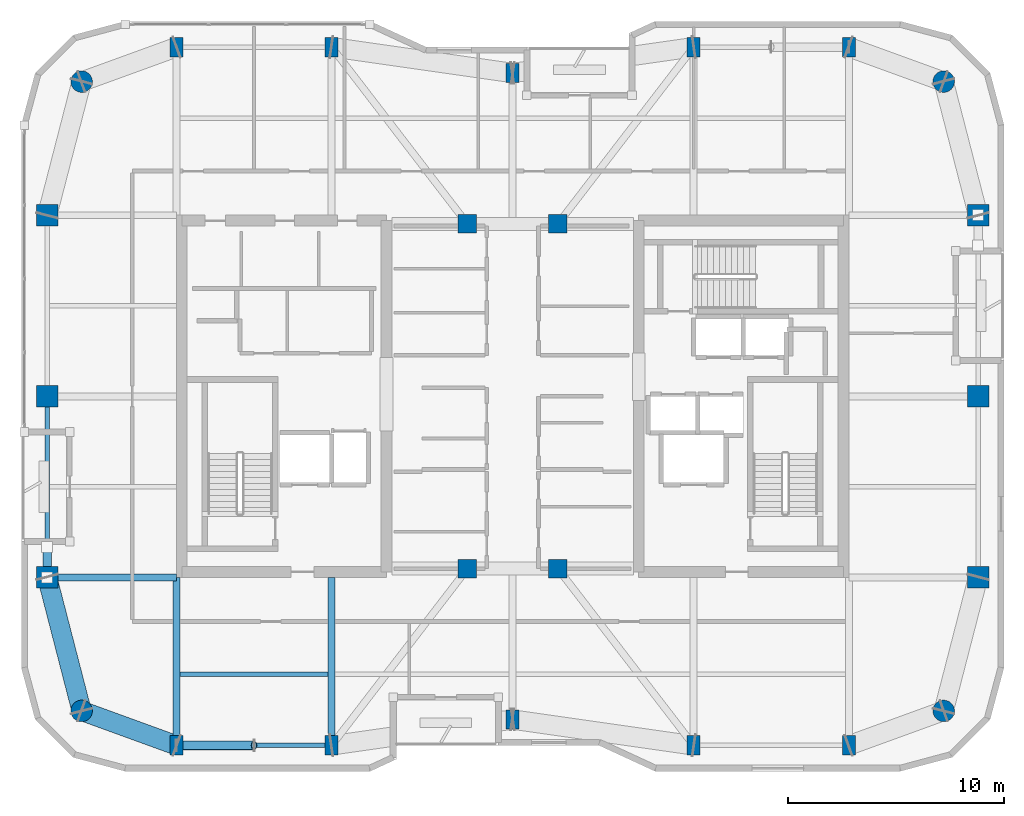
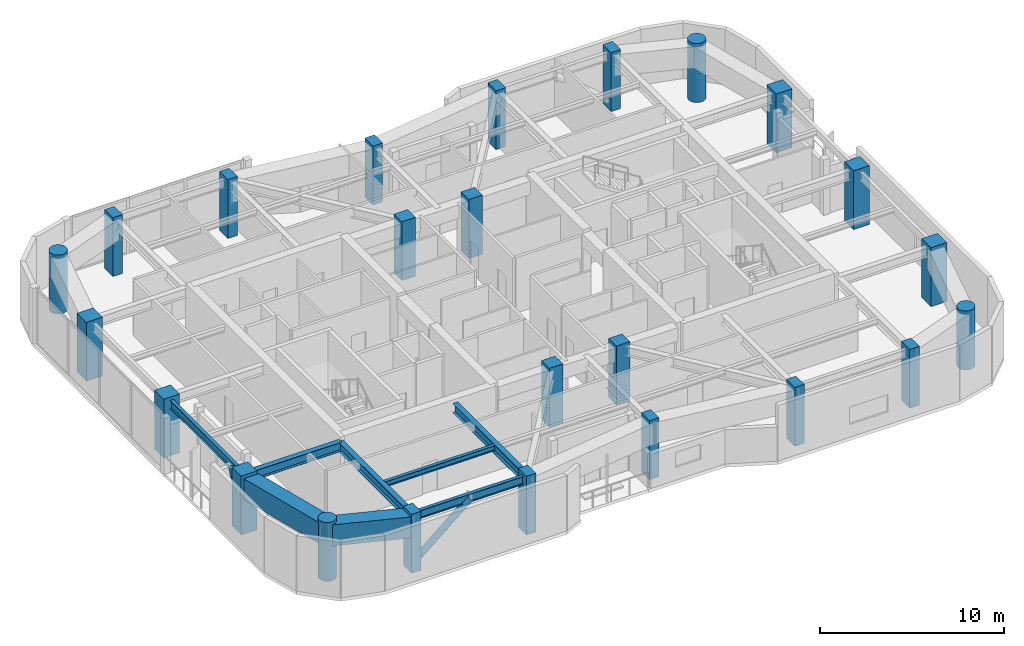
# One storey, part 1 of 15: 24 columns, 8 beams, 2 members.
"""IFC4 building model written with IfcOpenShell, lengths in metres."""

from ifc_helpers import new_model, si_unit, direction, frame, origin, origin_2d, place, context, subcontext, project, spatial, rectangle, hollow_rectangle, circle, hollow_circle, i_section, extrude, material, material_profile, profile_set, type_object, element, save


model = new_model("IFC4")

# Units and contexts
model_context = context("Model", 3, precision=1e-05, world=origin(), true_north=direction((0.0, 1.0)))
body_context = subcontext(model_context, "Body", "Model", "MODEL_VIEW")
ifc_project = project(units=[si_unit("LENGTHUNIT", "METRE"), si_unit("AREAUNIT", "SQUARE_METRE"), si_unit("VOLUMEUNIT", "CUBIC_METRE"), si_unit("PLANEANGLEUNIT", "RADIAN"), si_unit("MASSUNIT", "GRAM", prefix="KILO")], contexts=[model_context])

# Site, building, storey
site_placement = place(None, origin())
site = spatial("IfcSite", under=ifc_project, at=site_placement, CompositionType="ELEMENT")
building_placement = place(site_placement, origin())
building = spatial("IfcBuilding", under=site, at=building_placement, Name="Kiyonajd Concourse Tower", CompositionType="ELEMENT")
storey_placement = place(building_placement, frame((0.0, 0.0, 274.5)))
storey = spatial("IfcBuildingStorey", under=building, at=storey_placement, Name="L69", CompositionType="ELEMENT", Elevation=274.5)

# Columns
ifc_material_1 = material(Name="Concrete C60/75", Category="concrete")
ifc_material_profile_1 = material_profile(ifc_material_1, rectangle(XDim=0.60009765625, YDim=0.89990234375, at=origin_2d()), Name="RC-900x600")
ifc_profile_set_1 = profile_set([ifc_material_profile_1], Name="Concrete C60/75")
column_type_1 = type_object("IfcColumnType", Name="CL-BLADE-900", PredefinedType="COLUMN", material=ifc_profile_set_1)
for number, where, z_axis, x_axis, name in (
    (1, (32.39990234375, 19.800048828125, 0.0), (0.0, 0.0, 1.0), (1.0, 0.0, 0.0), "L69 Perimeter Bundled Tube Column"),
    (2, (32.39990234375, 52.199951171875, 0.0), (0.0, 0.0, 1.0), (1.0, 0.0, 0.0), "L69 Perimeter Bundled Tube Column"),
    (3, (39.60009765625, 19.800048828125, 0.0), (0.0, 0.0, 1.0), (1.0, 0.0, 0.0), "L69 Perimeter Bundled Tube Column"),
    (4, (39.60009765625, 52.199951171875, 0.0), (0.0, 0.0, 1.0), (1.0, 0.0, 0.0), "L69 Perimeter Bundled Tube Column"),
    (5, (48.0, 21.0, 0.0), (0.0, 0.0, 1.0), (1.0, 0.0, 0.0), "L69 Perimeter Bundled Tube Column"),
    (6, (48.0, 51.0, 0.0), (0.0, 0.0, 1.0), (1.0, 0.0, 0.0), "L69 Perimeter Bundled Tube Column"),
    (7, (56.39990234375, 19.800048828125, 0.0), (0.0, 0.0, 1.0), (1.0, 0.0, 0.0), "L69 Perimeter Bundled Tube Column"),
    (8, (56.39990234375, 52.199951171875, 0.0), (0.0, 0.0, 1.0), (1.0, 0.0, 0.0), "L69 Perimeter Bundled Tube Column"),
    (9, (63.60009765625, 19.800048828125, 0.0), (0.0, 0.0, 1.0), (1.0, 0.0, 0.0), "L69 Perimeter Bundled Tube Column"),
    (10, (63.60009765625, 52.199951171875, 0.0), (0.0, 0.0, 1.0), (1.0, 0.0, 0.0), "L69 Perimeter Bundled Tube Column"),
):
    element("IfcColumn", number, at=place(storey_placement, frame(where, z_axis=z_axis, x_axis=x_axis)), inside=storey, type_object=column_type_1, Name=name, PredefinedType="COLUMN", context=body_context, shape_type="SweptSolid", body=[
        extrude(rectangle(XDim=0.60009765625, YDim=0.89990234375, at=origin_2d()), origin(), (0.0, 0.0, 1.0), 3.89990234375),
    ])
ifc_material_profile_2 = material_profile(ifc_material_1, circle(Radius=0.5, at=origin_2d()), Name="RCC-D1000")
ifc_profile_set_2 = profile_set([ifc_material_profile_2], Name="Concrete C60/75")
column_type_2 = type_object("IfcColumnType", Name="CL-RND-1000", PredefinedType="COLUMN", material=ifc_profile_set_2)
for number, where, z_axis, x_axis, name in (
    (11, (28.0, 21.39990234375, 0.0), (0.0, 0.0, 1.0), (1.0, 0.0, 0.0), "L69 Bundled Tube Corner Column South West"),
    (12, (68.0, 21.39990234375, 0.0), (0.0, 0.0, 1.0), (1.0, 0.0, 0.0), "L69 Bundled Tube Corner Column South East"),
    (13, (68.0, 50.60009765625, 0.0), (0.0, 0.0, 1.0), (1.0, 0.0, 0.0), "L69 Bundled Tube Corner Column North East"),
    (14, (28.0, 50.60009765625, 0.0), (0.0, 0.0, 1.0), (1.0, 0.0, 0.0), "L69 Bundled Tube Corner Column North West"),
):
    element("IfcColumn", number, at=place(storey_placement, frame(where, z_axis=z_axis, x_axis=x_axis)), inside=storey, type_object=column_type_2, Name=name, PredefinedType="COLUMN", context=body_context, shape_type="SweptSolid", body=[
        extrude(circle(Radius=0.5, at=origin_2d()), origin(), (0.0, 0.0, 1.0), 3.89990234375),
    ])
ifc_material_profile_3 = material_profile(ifc_material_1, rectangle(XDim=1.0, YDim=1.0, at=origin_2d()), Name="RC-1000x1000")
ifc_profile_set_3 = profile_set([ifc_material_profile_3], Name="Concrete C60/75")
column_type_3 = type_object("IfcColumnType", Name="CL-TUBE-1000", PredefinedType="COLUMN", material=ifc_profile_set_3)
for number, where, z_axis, x_axis, name in (
    (15, (26.39990234375, 27.60009765625, 0.0), (0.0, 0.0, 1.0), (1.0, 0.0, 0.0), "L69 Perimeter Bundled Tube Column"),
    (16, (69.60009765625, 27.60009765625, 0.0), (0.0, 0.0, 1.0), (1.0, 0.0, 0.0), "L69 Perimeter Bundled Tube Column"),
    (17, (26.39990234375, 36.0, 0.0), (0.0, 0.0, 1.0), (1.0, 0.0, 0.0), "L69 Perimeter Bundled Tube Column"),
    (18, (69.60009765625, 36.0, 0.0), (0.0, 0.0, 1.0), (1.0, 0.0, 0.0), "L69 Perimeter Bundled Tube Column"),
    (19, (26.39990234375, 44.39990234375, 0.0), (0.0, 0.0, 1.0), (1.0, 0.0, 0.0), "L69 Perimeter Bundled Tube Column"),
    (20, (69.60009765625, 44.39990234375, 0.0), (0.0, 0.0, 1.0), (1.0, 0.0, 0.0), "L69 Perimeter Bundled Tube Column"),
):
    element("IfcColumn", number, at=place(storey_placement, frame(where, z_axis=z_axis, x_axis=x_axis)), inside=storey, type_object=column_type_3, Name=name, PredefinedType="COLUMN", context=body_context, shape_type="SweptSolid", body=[
        extrude(rectangle(XDim=1.0, YDim=1.0, at=origin_2d()), origin(), (0.0, 0.0, 1.0), 3.89990234375),
    ])
ifc_material_profile_4 = material_profile(ifc_material_1, rectangle(XDim=0.85009765625, YDim=0.85009765625, at=origin_2d()), Name="RC-850x850")
ifc_profile_set_4 = profile_set([ifc_material_profile_4], Name="Concrete C60/75")
column_type_4 = type_object("IfcColumnType", Name="CL-TUBE-850", PredefinedType="COLUMN", material=ifc_profile_set_4)
for number, where, z_axis, x_axis, name in (
    (21, (45.89990234375, 28.0, 0.0), (0.0, 0.0, 1.0), (1.0, 0.0, 0.0), "L69 Core Tie Column South West"),
    (22, (50.10009765625, 28.0, 0.0), (0.0, 0.0, 1.0), (1.0, 0.0, 0.0), "L69 Core Tie Column South East"),
    (23, (45.89990234375, 44.0, 0.0), (0.0, 0.0, 1.0), (1.0, 0.0, 0.0), "L69 Core Tie Column North West"),
    (24, (50.10009765625, 44.0, 0.0), (0.0, 0.0, 1.0), (1.0, 0.0, 0.0), "L69 Core Tie Column North East"),
):
    element("IfcColumn", number, at=place(storey_placement, frame(where, z_axis=z_axis, x_axis=x_axis)), inside=storey, type_object=column_type_4, Name=name, PredefinedType="COLUMN", context=body_context, shape_type="SweptSolid", body=[
        extrude(rectangle(XDim=0.85009765625, YDim=0.85009765625, at=origin_2d()), origin(), (0.0, 0.0, 1.0), 3.89990234375),
    ])

# Beams
ifc_material_2 = material(Name="Steel ASTM A992 Grade 50", Category="steel")
ifc_material_profile_5 = material_profile(ifc_material_2, i_section(OverallWidth=0.205078125, OverallDepth=0.35400390625, WebThickness=0.009521484375, FlangeThickness=0.016845703125, at=origin_2d()), Name="W360X79")
ifc_profile_set_5 = profile_set([ifc_material_profile_5], Name="Steel ASTM A992 Grade 50")
beam_type_1 = type_object("IfcBeamType", Name="BM-JST-360", PredefinedType="JOIST", material=ifc_profile_set_5)
beam_1_placement = place(storey_placement, frame((32.56201171875, 23.10009765625, 3.5029296875), z_axis=(1.0, 0.0, 0.0), x_axis=(0.0, 1.0, 0.0)))
element("IfcBeam", 25, at=beam_1_placement, inside=storey, type_object=beam_type_1, Name="L69 Secondary Floor Joist", PredefinedType="JOIST", context=body_context, shape_type="SweptSolid", body=[
    extrude(i_section(OverallWidth=0.205078125, OverallDepth=0.35400390625, WebThickness=0.009521484375, FlangeThickness=0.016845703125, at=origin_2d()), origin(), (0.0, 0.0, 1.0), 6.8759765625),
])
ifc_material_profile_6 = material_profile(ifc_material_2, i_section(OverallWidth=0.2109375, OverallDepth=0.5390625, WebThickness=0.01171875, FlangeThickness=0.018798828125, at=origin_2d()), Name="W530X109")
ifc_profile_set_6 = profile_set([ifc_material_profile_6], Name="Steel ASTM A992 Grade 50")
beam_type_2 = type_object("IfcBeamType", Name="BM-SPAN-530B", PredefinedType="SPANDREL", material=ifc_profile_set_6)
beam_2_placement = place(storey_placement, frame((32.39990234375, 19.800048828125, 3.410400390625), z_axis=(1.0, 0.0, 0.0), x_axis=(0.0, 1.0, 0.0)))
element("IfcBeam", 26, at=beam_2_placement, inside=storey, type_object=beam_type_2, Name="L69 Perimeter Bundled Tube Spandrel", PredefinedType="SPANDREL", context=body_context, shape_type="SweptSolid", body=[
    extrude(i_section(OverallWidth=0.2109375, OverallDepth=0.5390625, WebThickness=0.01171875, FlangeThickness=0.018798828125, at=origin_2d()), origin(), (0.0, 0.0, 1.0), 7.2001953125),
])
beam_3_placement = place(storey_placement, frame((26.39990234375, 36.0, 3.410400390625), z_axis=(0.0, -1.0, 0.0), x_axis=(1.0, 0.0, 0.0)))
element("IfcBeam", 27, at=beam_3_placement, inside=storey, type_object=beam_type_2, Name="L69 Perimeter Bundled Tube Spandrel", PredefinedType="SPANDREL", context=body_context, shape_type="SweptSolid", body=[
    extrude(i_section(OverallWidth=0.2109375, OverallDepth=0.5390625, WebThickness=0.01171875, FlangeThickness=0.018798828125, at=origin_2d()), origin(), (0.0, 0.0, 1.0), 8.39990234375),
])
ifc_material_profile_7 = material_profile(ifc_material_2, i_section(OverallWidth=0.323974609375, OverallDepth=0.611083984375, WebThickness=0.0126953125, FlangeThickness=0.01904296875, at=origin_2d()), Name="W610X155")
ifc_profile_set_7 = profile_set([ifc_material_profile_7], Name="Steel ASTM A992 Grade 50")
beam_type_3 = type_object("IfcBeamType", Name="BM-TWR-610B", PredefinedType="BEAM", material=ifc_profile_set_7)
for number, where, z_axis, x_axis, name in (
    (28, (32.39990234375, 19.800048828125, 3.37451171875), (0.0, 1.0, 0.0), (-1.0, 0.0, 0.0), "L69 South Lease Girder"),
    (29, (39.60009765625, 19.800048828125, 3.37451171875), (0.0, 1.0, 0.0), (-1.0, 0.0, 0.0), "L69 South Lease Girder"),
):
    element("IfcBeam", number, at=place(storey_placement, frame(where, z_axis=z_axis, x_axis=x_axis)), inside=storey, type_object=beam_type_3, Name=name, PredefinedType="BEAM", context=body_context, shape_type="SweptSolid", body=[
        extrude(i_section(OverallWidth=0.323974609375, OverallDepth=0.611083984375, WebThickness=0.0126953125, FlangeThickness=0.01904296875, at=origin_2d()), origin(), (0.0, 0.0, 1.0), 7.800048828125),
    ])
beam_4_placement = place(storey_placement, frame((26.39990234375, 27.60009765625, 3.37451171875), z_axis=(1.0, 0.0, 0.0), x_axis=(0.0, 1.0, 0.0)))
element("IfcBeam", 30, at=beam_4_placement, inside=storey, type_object=beam_type_3, Name="L69 West Lease Girder", PredefinedType="BEAM", context=body_context, shape_type="SweptSolid", body=[
    extrude(i_section(OverallWidth=0.323974609375, OverallDepth=0.611083984375, WebThickness=0.0126953125, FlangeThickness=0.01904296875, at=origin_2d()), origin(), (0.0, 0.0, 1.0), 6.0),
])
ifc_material_3 = material(Name="Steel ASTM A572 Grade 50", Category="steel")
ifc_material_profile_8 = material_profile(ifc_material_3, hollow_rectangle(XDim=0.89990234375, YDim=1.39990234375, WallThickness=0.070068359375, at=origin_2d()), Name="BOX-1400x900x70")
ifc_profile_set_8 = profile_set([ifc_material_profile_8], Name="Steel ASTM A572 Grade 50")
beam_type_4 = type_object("IfcBeamType", Name="BM-XFER-1400", PredefinedType="BEAM", material=ifc_profile_set_8)
beam_5_placement = place(storey_placement, frame((26.39990234375, 27.60009765625, 2.97998046875), z_axis=(0.249884937687, -0.968275538221, 0.0), x_axis=(0.968275538221, 0.249884937687, 0.0)))
element("IfcBeam", 31, at=beam_5_placement, inside=storey, type_object=beam_type_4, Name="L69 Perimeter Bundled Tube Spandrel", PredefinedType="BEAM", context=body_context, shape_type="SweptSolid", body=[
    extrude(hollow_rectangle(XDim=0.89990234375, YDim=1.39990234375, WallThickness=0.070068359375, at=origin_2d()), origin(), (0.0, 0.0, 1.0), 6.4033203125),
])
beam_6_placement = place(storey_placement, frame((28.0, 21.39990234375, 2.97998046875), z_axis=(0.939801036019, -0.341722127901, 0.0), x_axis=(0.341722127901, 0.939801036019, 0.0)))
element("IfcBeam", 32, at=beam_6_placement, inside=storey, type_object=beam_type_4, Name="L69 Perimeter Bundled Tube Spandrel", PredefinedType="BEAM", context=body_context, shape_type="SweptSolid", body=[
    extrude(hollow_rectangle(XDim=0.89990234375, YDim=1.39990234375, WallThickness=0.070068359375, at=origin_2d()), origin(), (0.0, 0.0, 1.0), 4.681640625),
])

# Members
ifc_material_4 = material(Name="Steel ASTM A500 Grade C", Category="steel")
ifc_material_profile_9 = material_profile(ifc_material_4, hollow_circle(Radius=0.202880859375, WallThickness=0.01904296875, at=origin_2d()), Name="CHS-406x19")
ifc_profile_set_9 = profile_set([ifc_material_profile_9], Name="Steel ASTM A500 Grade C")
member_type = type_object("IfcMemberType", Name="MB-PB-HIGH", PredefinedType="BRACE", material=ifc_profile_set_9)
member_1_placement = place(storey_placement, frame((32.39990234375, 19.800048828125, 0.300048828125), z_axis=(0.765082043761, 0.0, 0.643932811957), x_axis=(0.0, 1.0, 0.0)))
element("IfcMember", 33, at=member_1_placement, inside=storey, type_object=member_type, Name="L69 Upper Zone Hollow Tube Brace PBS", PredefinedType="BRACE", context=body_context, shape_type="SweptSolid", body=[
    extrude(hollow_circle(Radius=0.202880859375, WallThickness=0.01904296875, at=origin_2d()), origin(), (0.0, 0.0, 1.0), 4.70556640625),
])
member_2_placement = place(storey_placement, frame((26.39990234375, 27.60009765625, 0.300048828125), z_axis=(0.0, 0.419410666774, 0.907796614114), x_axis=(-1.0, 0.0, 0.0)))
element("IfcMember", 34, at=member_2_placement, inside=storey, type_object=member_type, Name="L69 Upper Zone Hollow Tube Brace PBW", PredefinedType="BRACE", context=body_context, shape_type="SweptSolid", body=[
    extrude(hollow_circle(Radius=0.202880859375, WallThickness=0.01904296875, at=origin_2d()), origin(), (0.0, 0.0, 1.0), 3.337890625),
])

save(model, "model.ifc")
